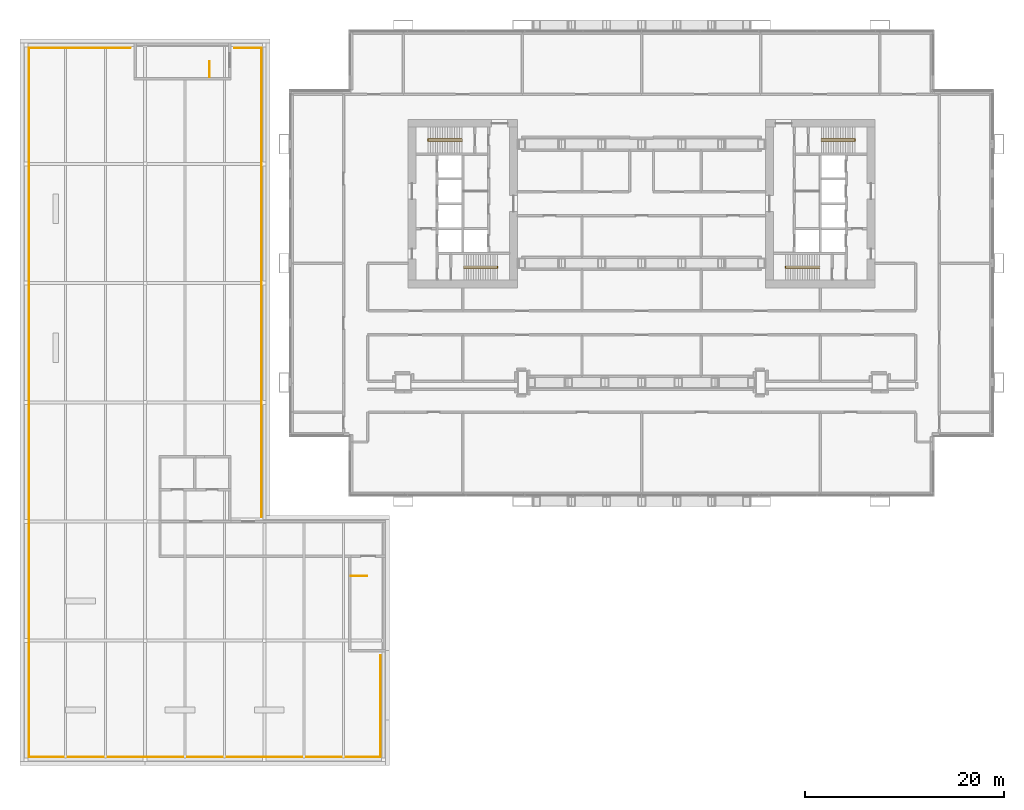
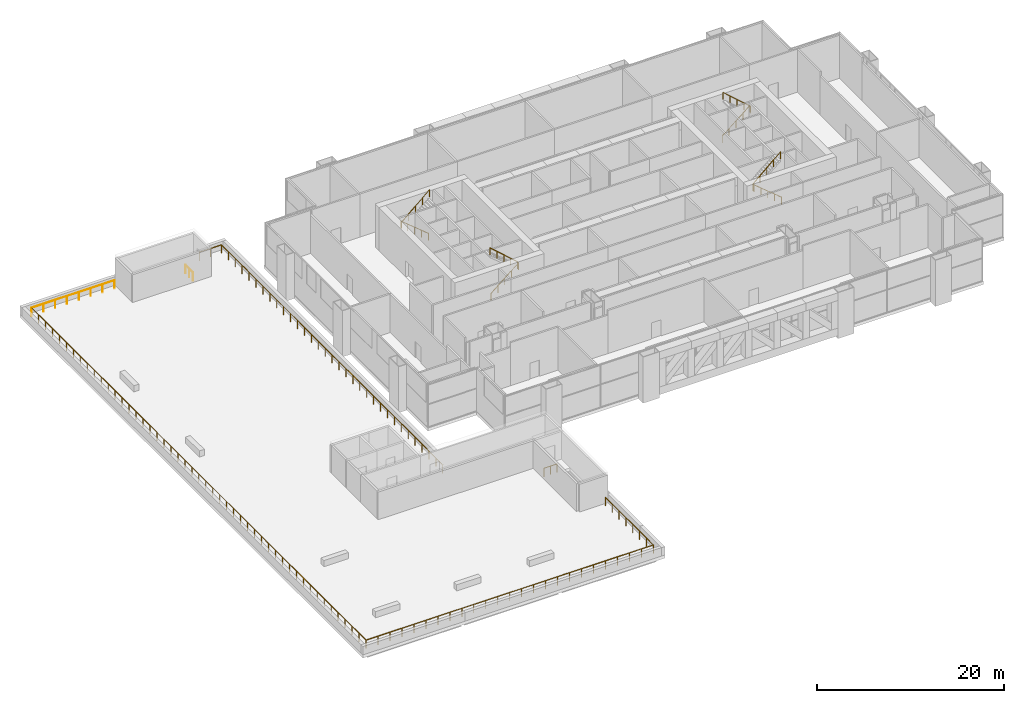
# One storey, part 27 of 27: 9 railings.
"""IFC4 building model written with IfcOpenShell, lengths in metres."""

from ifc_helpers import new_model, si_unit, direction, frame, origin, origin_2d, place, context, subcontext, project, spatial, circle, extrude, material, type_object, element, save


model = new_model("IFC4")

# Units and contexts
model_context = context("Model", 3, precision=1e-05, world=origin(), true_north=direction((0.0, 1.0)))
body_context = subcontext(model_context, "Body", "Model", "MODEL_VIEW")
ifc_project = project(units=[si_unit("LENGTHUNIT", "METRE"), si_unit("AREAUNIT", "SQUARE_METRE"), si_unit("VOLUMEUNIT", "CUBIC_METRE"), si_unit("PLANEANGLEUNIT", "RADIAN"), si_unit("MASSUNIT", "GRAM", prefix="KILO")], contexts=[model_context])

# Site, building, storey
site_placement = place(None, origin())
site = spatial("IfcSite", under=ifc_project, at=site_placement, CompositionType="ELEMENT")
building_placement = place(site_placement, origin())
building = spatial("IfcBuilding", under=site, at=building_placement, Name="Kitamizu Gate Tower and Museum", CompositionType="ELEMENT")
storey_placement = place(building_placement, frame((0.0, 0.0, 24.0)))
storey = spatial("IfcBuildingStorey", under=building, at=storey_placement, Name="L04", CompositionType="ELEMENT", Elevation=24.0)

# Railings
ifc_material_1 = material(Name="Stainless steel SUS304", Category="steel")
railing_type_1 = type_object("IfcRailingType", Name="Museum roof edge guard 1100", PredefinedType="GUARDRAIL", material=ifc_material_1)
railing_1_placement = place(storey_placement, frame((9.699951171875, -15.47509765625, 0.0)))
element("IfcRailing", 1, at=railing_1_placement, inside=storey, type_object=railing_type_1, Name="Roof edge guard", PredefinedType="GUARDRAIL", context=body_context, shape_type="SweptSolid", body=[
    extrude(circle(Radius=0.02490234375, at=origin_2d()), frame((0.0, 0.0, 1.0751953125), z_axis=(0.0, -1.0, 0.0), x_axis=(1.0, 0.0, 0.0)), (0.0, 0.0, 1.0), 10.224853515625),
    extrude(circle(Radius=0.02490234375, at=origin_2d()), frame((0.0, -10.224853515625, 1.0751953125), z_axis=(-1.0, 0.0, 0.0), x_axis=(0.0, -1.0, 0.0)), (0.0, 0.0, 1.0), 35.39990234375),
    extrude(circle(Radius=0.02490234375, at=origin_2d()), frame((-35.39990234375, -10.224853515625, 1.0751953125), z_axis=(0.0, 1.0, 0.0), x_axis=(-1.0, 0.0, 0.0)), (0.0, 0.0, 1.0), 71.39990234375),
    extrude(circle(Radius=0.02001953125, at=origin_2d()), origin(), (0.0, 0.0, 1.0), 1.050048828125),
    extrude(circle(Radius=0.02001953125, at=origin_2d()), frame((0.0, -1.460693359375, 0.0)), (0.0, 0.0, 1.0), 1.050048828125),
    extrude(circle(Radius=0.02001953125, at=origin_2d()), frame((0.0, -2.92138671875, 0.0)), (0.0, 0.0, 1.0), 1.050048828125),
    extrude(circle(Radius=0.02001953125, at=origin_2d()), frame((0.0, -4.382080078125, 0.0)), (0.0, 0.0, 1.0), 1.050048828125),
    extrude(circle(Radius=0.02001953125, at=origin_2d()), frame((0.0, -5.8427734375, 0.0)), (0.0, 0.0, 1.0), 1.050048828125),
    extrude(circle(Radius=0.02001953125, at=origin_2d()), frame((0.0, -7.303466796875, 0.0)), (0.0, 0.0, 1.0), 1.050048828125),
    extrude(circle(Radius=0.02001953125, at=origin_2d()), frame((0.0, -8.76416015625, 0.0)), (0.0, 0.0, 1.0), 1.050048828125),
    extrude(circle(Radius=0.02001953125, at=origin_2d()), frame((0.0, -10.224853515625, 0.0)), (0.0, 0.0, 1.0), 1.050048828125),
    extrude(circle(Radius=0.02001953125, at=origin_2d()), frame((-1.47509765625, -10.224853515625, 0.0)), (0.0, 0.0, 1.0), 1.050048828125),
    extrude(circle(Radius=0.02001953125, at=origin_2d()), frame((-2.949951171875, -10.224853515625, 0.0)), (0.0, 0.0, 1.0), 1.050048828125),
    extrude(circle(Radius=0.02001953125, at=origin_2d()), frame((-4.425048828125, -10.224853515625, 0.0)), (0.0, 0.0, 1.0), 1.050048828125),
    extrude(circle(Radius=0.02001953125, at=origin_2d()), frame((-5.89990234375, -10.224853515625, 0.0)), (0.0, 0.0, 1.0), 1.050048828125),
    extrude(circle(Radius=0.02001953125, at=origin_2d()), frame((-7.375, -10.224853515625, 0.0)), (0.0, 0.0, 1.0), 1.050048828125),
    extrude(circle(Radius=0.02001953125, at=origin_2d()), frame((-8.85009765625, -10.224853515625, 0.0)), (0.0, 0.0, 1.0), 1.050048828125),
    extrude(circle(Radius=0.02001953125, at=origin_2d()), frame((-10.324951171875, -10.224853515625, 0.0)), (0.0, 0.0, 1.0), 1.050048828125),
    extrude(circle(Radius=0.02001953125, at=origin_2d()), frame((-11.800048828125, -10.224853515625, 0.0)), (0.0, 0.0, 1.0), 1.050048828125),
    extrude(circle(Radius=0.02001953125, at=origin_2d()), frame((-13.27490234375, -10.224853515625, 0.0)), (0.0, 0.0, 1.0), 1.050048828125),
    extrude(circle(Radius=0.02001953125, at=origin_2d()), frame((-14.75, -10.224853515625, 0.0)), (0.0, 0.0, 1.0), 1.050048828125),
    extrude(circle(Radius=0.02001953125, at=origin_2d()), frame((-16.224853515625, -10.224853515625, 0.0)), (0.0, 0.0, 1.0), 1.050048828125),
    extrude(circle(Radius=0.02001953125, at=origin_2d()), frame((-17.699951171875, -10.224853515625, 0.0)), (0.0, 0.0, 1.0), 1.050048828125),
    extrude(circle(Radius=0.02001953125, at=origin_2d()), frame((-19.175048828125, -10.224853515625, 0.0)), (0.0, 0.0, 1.0), 1.050048828125),
    extrude(circle(Radius=0.02001953125, at=origin_2d()), frame((-20.64990234375, -10.224853515625, 0.0)), (0.0, 0.0, 1.0), 1.050048828125),
    extrude(circle(Radius=0.02001953125, at=origin_2d()), frame((-22.125, -10.224853515625, 0.0)), (0.0, 0.0, 1.0), 1.050048828125),
    extrude(circle(Radius=0.02001953125, at=origin_2d()), frame((-23.599853515625, -10.224853515625, 0.0)), (0.0, 0.0, 1.0), 1.050048828125),
    extrude(circle(Radius=0.02001953125, at=origin_2d()), frame((-25.074951171875, -10.224853515625, 0.0)), (0.0, 0.0, 1.0), 1.050048828125),
    extrude(circle(Radius=0.02001953125, at=origin_2d()), frame((-26.5498046875, -10.224853515625, 0.0)), (0.0, 0.0, 1.0), 1.050048828125),
    extrude(circle(Radius=0.02001953125, at=origin_2d()), frame((-28.02490234375, -10.224853515625, 0.0)), (0.0, 0.0, 1.0), 1.050048828125),
    extrude(circle(Radius=0.02001953125, at=origin_2d()), frame((-29.5, -10.224853515625, 0.0)), (0.0, 0.0, 1.0), 1.050048828125),
    extrude(circle(Radius=0.02001953125, at=origin_2d()), frame((-30.974853515625, -10.224853515625, 0.0)), (0.0, 0.0, 1.0), 1.050048828125),
    extrude(circle(Radius=0.02001953125, at=origin_2d()), frame((-32.449951171875, -10.224853515625, 0.0)), (0.0, 0.0, 1.0), 1.050048828125),
    extrude(circle(Radius=0.02001953125, at=origin_2d()), frame((-33.9248046875, -10.224853515625, 0.0)), (0.0, 0.0, 1.0), 1.050048828125),
    extrude(circle(Radius=0.02001953125, at=origin_2d()), frame((-35.39990234375, -10.224853515625, 0.0)), (0.0, 0.0, 1.0), 1.050048828125),
    extrude(circle(Radius=0.02001953125, at=origin_2d()), frame((-35.39990234375, -8.7373046875, 0.0)), (0.0, 0.0, 1.0), 1.050048828125),
    extrude(circle(Radius=0.02001953125, at=origin_2d()), frame((-35.39990234375, -7.249755859375, 0.0)), (0.0, 0.0, 1.0), 1.050048828125),
    extrude(circle(Radius=0.02001953125, at=origin_2d()), frame((-35.39990234375, -5.762451171875, 0.0)), (0.0, 0.0, 1.0), 1.050048828125),
    extrude(circle(Radius=0.02001953125, at=origin_2d()), frame((-35.39990234375, -4.27490234375, 0.0)), (0.0, 0.0, 1.0), 1.050048828125),
    extrude(circle(Radius=0.02001953125, at=origin_2d()), frame((-35.39990234375, -2.787353515625, 0.0)), (0.0, 0.0, 1.0), 1.050048828125),
    extrude(circle(Radius=0.02001953125, at=origin_2d()), frame((-35.39990234375, -1.2998046875, 0.0)), (0.0, 0.0, 1.0), 1.050048828125),
    extrude(circle(Radius=0.02001953125, at=origin_2d()), frame((-35.39990234375, 0.187744140625, 0.0)), (0.0, 0.0, 1.0), 1.050048828125),
    extrude(circle(Radius=0.02001953125, at=origin_2d()), frame((-35.39990234375, 1.675048828125, 0.0)), (0.0, 0.0, 1.0), 1.050048828125),
    extrude(circle(Radius=0.02001953125, at=origin_2d()), frame((-35.39990234375, 3.16259765625, 0.0)), (0.0, 0.0, 1.0), 1.050048828125),
    extrude(circle(Radius=0.02001953125, at=origin_2d()), frame((-35.39990234375, 4.650146484375, 0.0)), (0.0, 0.0, 1.0), 1.050048828125),
    extrude(circle(Radius=0.02001953125, at=origin_2d()), frame((-35.39990234375, 6.1376953125, 0.0)), (0.0, 0.0, 1.0), 1.050048828125),
    extrude(circle(Radius=0.02001953125, at=origin_2d()), frame((-35.39990234375, 7.625, 0.0)), (0.0, 0.0, 1.0), 1.050048828125),
    extrude(circle(Radius=0.02001953125, at=origin_2d()), frame((-35.39990234375, 9.112548828125, 0.0)), (0.0, 0.0, 1.0), 1.050048828125),
    extrude(circle(Radius=0.02001953125, at=origin_2d()), frame((-35.39990234375, 10.60009765625, 0.0)), (0.0, 0.0, 1.0), 1.050048828125),
    extrude(circle(Radius=0.02001953125, at=origin_2d()), frame((-35.39990234375, 12.087646484375, 0.0)), (0.0, 0.0, 1.0), 1.050048828125),
    extrude(circle(Radius=0.02001953125, at=origin_2d()), frame((-35.39990234375, 13.5751953125, 0.0)), (0.0, 0.0, 1.0), 1.050048828125),
    extrude(circle(Radius=0.02001953125, at=origin_2d()), frame((-35.39990234375, 15.0625, 0.0)), (0.0, 0.0, 1.0), 1.050048828125),
    extrude(circle(Radius=0.02001953125, at=origin_2d()), frame((-35.39990234375, 16.550048828125, 0.0)), (0.0, 0.0, 1.0), 1.050048828125),
    extrude(circle(Radius=0.02001953125, at=origin_2d()), frame((-35.39990234375, 18.03759765625, 0.0)), (0.0, 0.0, 1.0), 1.050048828125),
    extrude(circle(Radius=0.02001953125, at=origin_2d()), frame((-35.39990234375, 19.525146484375, 0.0)), (0.0, 0.0, 1.0), 1.050048828125),
    extrude(circle(Radius=0.02001953125, at=origin_2d()), frame((-35.39990234375, 21.0126953125, 0.0)), (0.0, 0.0, 1.0), 1.050048828125),
    extrude(circle(Radius=0.02001953125, at=origin_2d()), frame((-35.39990234375, 22.5, 0.0)), (0.0, 0.0, 1.0), 1.050048828125),
    extrude(circle(Radius=0.02001953125, at=origin_2d()), frame((-35.39990234375, 23.987548828125, 0.0)), (0.0, 0.0, 1.0), 1.050048828125),
    extrude(circle(Radius=0.02001953125, at=origin_2d()), frame((-35.39990234375, 25.47509765625, 0.0)), (0.0, 0.0, 1.0), 1.050048828125),
    extrude(circle(Radius=0.02001953125, at=origin_2d()), frame((-35.39990234375, 26.962646484375, 0.0)), (0.0, 0.0, 1.0), 1.050048828125),
    extrude(circle(Radius=0.02001953125, at=origin_2d()), frame((-35.39990234375, 28.4501953125, 0.0)), (0.0, 0.0, 1.0), 1.050048828125),
    extrude(circle(Radius=0.02001953125, at=origin_2d()), frame((-35.39990234375, 29.9375, 0.0)), (0.0, 0.0, 1.0), 1.050048828125),
    extrude(circle(Radius=0.02001953125, at=origin_2d()), frame((-35.39990234375, 31.425048828125, 0.0)), (0.0, 0.0, 1.0), 1.050048828125),
    extrude(circle(Radius=0.02001953125, at=origin_2d()), frame((-35.39990234375, 32.91259765625, 0.0)), (0.0, 0.0, 1.0), 1.050048828125),
    extrude(circle(Radius=0.02001953125, at=origin_2d()), frame((-35.39990234375, 34.400146484375, 0.0)), (0.0, 0.0, 1.0), 1.050048828125),
    extrude(circle(Radius=0.02001953125, at=origin_2d()), frame((-35.39990234375, 35.8876953125, 0.0)), (0.0, 0.0, 1.0), 1.050048828125),
    extrude(circle(Radius=0.02001953125, at=origin_2d()), frame((-35.39990234375, 37.375, 0.0)), (0.0, 0.0, 1.0), 1.050048828125),
    extrude(circle(Radius=0.02001953125, at=origin_2d()), frame((-35.39990234375, 38.862548828125, 0.0)), (0.0, 0.0, 1.0), 1.050048828125),
    extrude(circle(Radius=0.02001953125, at=origin_2d()), frame((-35.39990234375, 40.35009765625, 0.0)), (0.0, 0.0, 1.0), 1.050048828125),
    extrude(circle(Radius=0.02001953125, at=origin_2d()), frame((-35.39990234375, 41.837646484375, 0.0)), (0.0, 0.0, 1.0), 1.050048828125),
    extrude(circle(Radius=0.02001953125, at=origin_2d()), frame((-35.39990234375, 43.3251953125, 0.0)), (0.0, 0.0, 1.0), 1.050048828125),
    extrude(circle(Radius=0.02001953125, at=origin_2d()), frame((-35.39990234375, 44.8125, 0.0)), (0.0, 0.0, 1.0), 1.050048828125),
    extrude(circle(Radius=0.02001953125, at=origin_2d()), frame((-35.39990234375, 46.300048828125, 0.0)), (0.0, 0.0, 1.0), 1.050048828125),
    extrude(circle(Radius=0.02001953125, at=origin_2d()), frame((-35.39990234375, 47.78759765625, 0.0)), (0.0, 0.0, 1.0), 1.050048828125),
    extrude(circle(Radius=0.02001953125, at=origin_2d()), frame((-35.39990234375, 49.275146484375, 0.0)), (0.0, 0.0, 1.0), 1.050048828125),
    extrude(circle(Radius=0.02001953125, at=origin_2d()), frame((-35.39990234375, 50.762451171875, 0.0)), (0.0, 0.0, 1.0), 1.050048828125),
    extrude(circle(Radius=0.02001953125, at=origin_2d()), frame((-35.39990234375, 52.25, 0.0)), (0.0, 0.0, 1.0), 1.050048828125),
    extrude(circle(Radius=0.02001953125, at=origin_2d()), frame((-35.39990234375, 53.737548828125, 0.0)), (0.0, 0.0, 1.0), 1.050048828125),
    extrude(circle(Radius=0.02001953125, at=origin_2d()), frame((-35.39990234375, 55.22509765625, 0.0)), (0.0, 0.0, 1.0), 1.050048828125),
    extrude(circle(Radius=0.02001953125, at=origin_2d()), frame((-35.39990234375, 56.712646484375, 0.0)), (0.0, 0.0, 1.0), 1.050048828125),
    extrude(circle(Radius=0.02001953125, at=origin_2d()), frame((-35.39990234375, 58.199951171875, 0.0)), (0.0, 0.0, 1.0), 1.050048828125),
    extrude(circle(Radius=0.02001953125, at=origin_2d()), frame((-35.39990234375, 59.6875, 0.0)), (0.0, 0.0, 1.0), 1.050048828125),
    extrude(circle(Radius=0.02001953125, at=origin_2d()), frame((-35.39990234375, 61.175048828125, 0.0)), (0.0, 0.0, 1.0), 1.050048828125),
])
railing_2_placement = place(storey_placement, frame((-5.02490234375, 45.699951171875, 0.0)))
element("IfcRailing", 2, at=railing_2_placement, inside=storey, type_object=railing_type_1, Name="Roof edge guard", PredefinedType="GUARDRAIL", context=body_context, shape_type="SweptSolid", body=[
    extrude(circle(Radius=0.02490234375, at=origin_2d()), frame((0.0, 0.0, 1.0751953125), z_axis=(1.0, 0.0, 0.0), x_axis=(0.0, 1.0, 0.0)), (0.0, 0.0, 1.0), 2.724853515625),
    extrude(circle(Radius=0.02490234375, at=origin_2d()), frame((2.724853515625, 0.0, 1.0751953125), z_axis=(0.0, -1.0, 0.0), x_axis=(1.0, 0.0, 0.0)), (0.0, 0.0, 1.0), 47.25),
    extrude(circle(Radius=0.02001953125, at=origin_2d()), origin(), (0.0, 0.0, 1.0), 1.050048828125),
    extrude(circle(Radius=0.02001953125, at=origin_2d()), frame((1.3623046875, 0.0, 0.0)), (0.0, 0.0, 1.0), 1.050048828125),
    extrude(circle(Radius=0.02001953125, at=origin_2d()), frame((2.724853515625, 0.0, 0.0)), (0.0, 0.0, 1.0), 1.050048828125),
    extrude(circle(Radius=0.02001953125, at=origin_2d()), frame((2.724853515625, -1.4765625, 0.0)), (0.0, 0.0, 1.0), 1.050048828125),
    extrude(circle(Radius=0.02001953125, at=origin_2d()), frame((2.724853515625, -2.953125, 0.0)), (0.0, 0.0, 1.0), 1.050048828125),
    extrude(circle(Radius=0.02001953125, at=origin_2d()), frame((2.724853515625, -4.4296875, 0.0)), (0.0, 0.0, 1.0), 1.050048828125),
    extrude(circle(Radius=0.02001953125, at=origin_2d()), frame((2.724853515625, -5.90625, 0.0)), (0.0, 0.0, 1.0), 1.050048828125),
    extrude(circle(Radius=0.02001953125, at=origin_2d()), frame((2.724853515625, -7.3828125, 0.0)), (0.0, 0.0, 1.0), 1.050048828125),
    extrude(circle(Radius=0.02001953125, at=origin_2d()), frame((2.724853515625, -8.859375, 0.0)), (0.0, 0.0, 1.0), 1.050048828125),
    extrude(circle(Radius=0.02001953125, at=origin_2d()), frame((2.724853515625, -10.3359375, 0.0)), (0.0, 0.0, 1.0), 1.050048828125),
    extrude(circle(Radius=0.02001953125, at=origin_2d()), frame((2.724853515625, -11.8125, 0.0)), (0.0, 0.0, 1.0), 1.050048828125),
    extrude(circle(Radius=0.02001953125, at=origin_2d()), frame((2.724853515625, -13.2890625, 0.0)), (0.0, 0.0, 1.0), 1.050048828125),
    extrude(circle(Radius=0.02001953125, at=origin_2d()), frame((2.724853515625, -14.765625, 0.0)), (0.0, 0.0, 1.0), 1.050048828125),
    extrude(circle(Radius=0.02001953125, at=origin_2d()), frame((2.724853515625, -16.2421875, 0.0)), (0.0, 0.0, 1.0), 1.050048828125),
    extrude(circle(Radius=0.02001953125, at=origin_2d()), frame((2.724853515625, -17.71875, 0.0)), (0.0, 0.0, 1.0), 1.050048828125),
    extrude(circle(Radius=0.02001953125, at=origin_2d()), frame((2.724853515625, -19.1953125, 0.0)), (0.0, 0.0, 1.0), 1.050048828125),
    extrude(circle(Radius=0.02001953125, at=origin_2d()), frame((2.724853515625, -20.671875, 0.0)), (0.0, 0.0, 1.0), 1.050048828125),
    extrude(circle(Radius=0.02001953125, at=origin_2d()), frame((2.724853515625, -22.1484375, 0.0)), (0.0, 0.0, 1.0), 1.050048828125),
    extrude(circle(Radius=0.02001953125, at=origin_2d()), frame((2.724853515625, -23.625, 0.0)), (0.0, 0.0, 1.0), 1.050048828125),
    extrude(circle(Radius=0.02001953125, at=origin_2d()), frame((2.724853515625, -25.1015625, 0.0)), (0.0, 0.0, 1.0), 1.050048828125),
    extrude(circle(Radius=0.02001953125, at=origin_2d()), frame((2.724853515625, -26.578125, 0.0)), (0.0, 0.0, 1.0), 1.050048828125),
    extrude(circle(Radius=0.02001953125, at=origin_2d()), frame((2.724853515625, -28.0546875, 0.0)), (0.0, 0.0, 1.0), 1.050048828125),
    extrude(circle(Radius=0.02001953125, at=origin_2d()), frame((2.724853515625, -29.53125, 0.0)), (0.0, 0.0, 1.0), 1.050048828125),
    extrude(circle(Radius=0.02001953125, at=origin_2d()), frame((2.724853515625, -31.0078125, 0.0)), (0.0, 0.0, 1.0), 1.050048828125),
    extrude(circle(Radius=0.02001953125, at=origin_2d()), frame((2.724853515625, -32.484375, 0.0)), (0.0, 0.0, 1.0), 1.050048828125),
    extrude(circle(Radius=0.02001953125, at=origin_2d()), frame((2.724853515625, -33.9609375, 0.0)), (0.0, 0.0, 1.0), 1.050048828125),
    extrude(circle(Radius=0.02001953125, at=origin_2d()), frame((2.724853515625, -35.4375, 0.0)), (0.0, 0.0, 1.0), 1.050048828125),
    extrude(circle(Radius=0.02001953125, at=origin_2d()), frame((2.724853515625, -36.9140625, 0.0)), (0.0, 0.0, 1.0), 1.050048828125),
    extrude(circle(Radius=0.02001953125, at=origin_2d()), frame((2.724853515625, -38.390625, 0.0)), (0.0, 0.0, 1.0), 1.050048828125),
    extrude(circle(Radius=0.02001953125, at=origin_2d()), frame((2.724853515625, -39.8671875, 0.0)), (0.0, 0.0, 1.0), 1.050048828125),
    extrude(circle(Radius=0.02001953125, at=origin_2d()), frame((2.724853515625, -41.34375, 0.0)), (0.0, 0.0, 1.0), 1.050048828125),
    extrude(circle(Radius=0.02001953125, at=origin_2d()), frame((2.724853515625, -42.8203125, 0.0)), (0.0, 0.0, 1.0), 1.050048828125),
    extrude(circle(Radius=0.02001953125, at=origin_2d()), frame((2.724853515625, -44.296875, 0.0)), (0.0, 0.0, 1.0), 1.050048828125),
    extrude(circle(Radius=0.02001953125, at=origin_2d()), frame((2.724853515625, -45.7734375, 0.0)), (0.0, 0.0, 1.0), 1.050048828125),
    extrude(circle(Radius=0.02001953125, at=origin_2d()), frame((2.724853515625, -47.25, 0.0)), (0.0, 0.0, 1.0), 1.050048828125),
])
railing_3_placement = place(storey_placement, frame((-25.699951171875, 45.699951171875, 0.0)))
element("IfcRailing", 3, at=railing_3_placement, inside=storey, type_object=railing_type_1, Name="Roof edge guard", PredefinedType="GUARDRAIL", context=body_context, shape_type="SweptSolid", body=[
    extrude(circle(Radius=0.02490234375, at=origin_2d()), frame((0.0, 0.0, 1.0751953125), z_axis=(1.0, 0.0, 0.0), x_axis=(0.0, 1.0, 0.0)), (0.0, 0.0, 1.0), 10.224853515625),
    extrude(circle(Radius=0.02001953125, at=origin_2d()), origin(), (0.0, 0.0, 1.0), 1.050048828125),
    extrude(circle(Radius=0.02001953125, at=origin_2d()), frame((1.460693359375, 0.0, 0.0)), (0.0, 0.0, 1.0), 1.050048828125),
    extrude(circle(Radius=0.02001953125, at=origin_2d()), frame((2.92138671875, 0.0, 0.0)), (0.0, 0.0, 1.0), 1.050048828125),
    extrude(circle(Radius=0.02001953125, at=origin_2d()), frame((4.382080078125, 0.0, 0.0)), (0.0, 0.0, 1.0), 1.050048828125),
    extrude(circle(Radius=0.02001953125, at=origin_2d()), frame((5.8427734375, 0.0, 0.0)), (0.0, 0.0, 1.0), 1.050048828125),
    extrude(circle(Radius=0.02001953125, at=origin_2d()), frame((7.303466796875, 0.0, 0.0)), (0.0, 0.0, 1.0), 1.050048828125),
    extrude(circle(Radius=0.02001953125, at=origin_2d()), frame((8.76416015625, 0.0, 0.0)), (0.0, 0.0, 1.0), 1.050048828125),
    extrude(circle(Radius=0.02001953125, at=origin_2d()), frame((10.224853515625, 0.0, 0.0)), (0.0, 0.0, 1.0), 1.050048828125),
])
railing_4_placement = place(storey_placement, frame((6.75, -7.5, 0.0)))
element("IfcRailing", 4, at=railing_4_placement, inside=storey, type_object=railing_type_1, Name="Stair well guard", PredefinedType="GUARDRAIL", context=body_context, shape_type="SweptSolid", body=[
    extrude(circle(Radius=0.02490234375, at=origin_2d()), frame((0.0, 0.0, 1.0751953125), z_axis=(1.0, 0.0, 0.0), x_axis=(0.0, 1.0, 0.0)), (0.0, 0.0, 1.0), 1.60009765625),
    extrude(circle(Radius=0.02001953125, at=origin_2d()), origin(), (0.0, 0.0, 1.0), 1.050048828125),
    extrude(circle(Radius=0.02001953125, at=origin_2d()), frame((0.800048828125, 0.0, 0.0)), (0.0, 0.0, 1.0), 1.050048828125),
    extrude(circle(Radius=0.02001953125, at=origin_2d()), frame((1.60009765625, 0.0, 0.0)), (0.0, 0.0, 1.0), 1.050048828125),
])
railing_5_placement = place(storey_placement, frame((-7.5, 42.75, 0.0)))
element("IfcRailing", 5, at=railing_5_placement, inside=storey, type_object=railing_type_1, Name="Stair well guard", PredefinedType="GUARDRAIL", context=body_context, shape_type="SweptSolid", body=[
    extrude(circle(Radius=0.02490234375, at=origin_2d()), frame((0.0, 0.0, 1.0751953125), z_axis=(0.0, 1.0, 0.0), x_axis=(-1.0, 0.0, 0.0)), (0.0, 0.0, 1.0), 1.60009765625),
    extrude(circle(Radius=0.02001953125, at=origin_2d()), origin(), (0.0, 0.0, 1.0), 1.050048828125),
    extrude(circle(Radius=0.02001953125, at=origin_2d()), frame((0.0, 0.800048828125, 0.0)), (0.0, 0.0, 1.0), 1.050048828125),
    extrude(circle(Radius=0.02001953125, at=origin_2d()), frame((0.0, 1.60009765625, 0.0)), (0.0, 0.0, 1.0), 1.050048828125),
])
ifc_material_2 = material(Name="Stainless steel SUS304", Category="steel")
railing_type_2 = type_object("IfcRailingType", Name="Stair handrail 900", PredefinedType="HANDRAIL", material=ifc_material_2)
railing_6_placement = place(storey_placement, frame((18.10009765625, 23.5, 0.199951171875)))
element("IfcRailing", 6, at=railing_6_placement, inside=storey, type_object=railing_type_2, Name="Stair handrail ST1", PredefinedType="HANDRAIL", context=body_context, shape_type="SweptSolid", body=[
    extrude(circle(Radius=0.02392578125, at=origin_2d()), frame((0.0, 0.0, 0.8759765625), z_axis=(0.771915835092, 0.0, 0.63572473881), x_axis=(0.0, 1.0, 0.0)), (0.0, 0.0, 1.0), 4.404541015625),
    extrude(circle(Radius=0.02392578125, at=origin_2d()), frame((3.39990234375, 0.0, 3.67578125), z_axis=(0.0, 1.0, 0.0), x_axis=(-1.0, 0.0, 0.0)), (0.0, 0.0, 1.0), 0.199951171875),
    extrude(circle(Radius=0.02392578125, at=origin_2d()), frame((3.39990234375, 0.199951171875, 3.67578125), z_axis=(-0.74982842739, 0.0, 0.661632321971), x_axis=(0.0, -1.0, 0.0)), (0.0, 0.0, 1.0), 4.5341796875),
    extrude(circle(Radius=0.02099609375, at=origin_2d()), origin(), (0.0, 0.0, 1.0), 0.851806640625),
    extrude(circle(Radius=0.02099609375, at=origin_2d()), frame((0.85009765625, 0.0, 0.699951171875)), (0.0, 0.0, 1.0), 0.851806640625),
    extrude(circle(Radius=0.02099609375, at=origin_2d()), frame((1.699951171875, 0.0, 1.39990234375)), (0.0, 0.0, 1.0), 0.851806640625),
    extrude(circle(Radius=0.02099609375, at=origin_2d()), frame((2.5498046875, 0.0, 2.10009765625)), (0.0, 0.0, 1.0), 0.851806640625),
    extrude(circle(Radius=0.02099609375, at=origin_2d()), frame((3.39990234375, 0.0, 2.800048828125)), (0.0, 0.0, 1.0), 0.851806640625),
    extrude(circle(Radius=0.02099609375, at=origin_2d()), frame((3.39990234375, 0.199951171875, 2.800048828125)), (0.0, 0.0, 1.0), 0.851806640625),
    extrude(circle(Radius=0.02099609375, at=origin_2d()), frame((2.5498046875, 0.199951171875, 3.550048828125)), (0.0, 0.0, 1.0), 0.851806640625),
    extrude(circle(Radius=0.02099609375, at=origin_2d()), frame((1.699951171875, 0.199951171875, 4.300048828125)), (0.0, 0.0, 1.0), 0.851806640625),
    extrude(circle(Radius=0.02099609375, at=origin_2d()), frame((0.85009765625, 0.199951171875, 5.050048828125)), (0.0, 0.0, 1.0), 0.851806640625),
    extrude(circle(Radius=0.02099609375, at=origin_2d()), frame((0.0, 0.199951171875, 5.800048828125)), (0.0, 0.0, 1.0), 0.851806640625),
])
railing_7_placement = place(storey_placement, frame((17.89990234375, 36.5, 0.199951171875)))
element("IfcRailing", 7, at=railing_7_placement, inside=storey, type_object=railing_type_2, Name="Stair handrail ST2", PredefinedType="HANDRAIL", context=body_context, shape_type="SweptSolid", body=[
    extrude(circle(Radius=0.02392578125, at=origin_2d()), frame((0.0, 0.0, 0.8759765625), z_axis=(-0.771915835092, 0.0, 0.63572473881), x_axis=(0.0, -1.0, 0.0)), (0.0, 0.0, 1.0), 4.404541015625),
    extrude(circle(Radius=0.02392578125, at=origin_2d()), frame((-3.39990234375, 0.0, 3.67578125), z_axis=(0.0, -1.0, 0.0), x_axis=(1.0, 0.0, 0.0)), (0.0, 0.0, 1.0), 0.199951171875),
    extrude(circle(Radius=0.02392578125, at=origin_2d()), frame((-3.39990234375, -0.199951171875, 3.67578125), z_axis=(0.74982842739, 0.0, 0.661632321971), x_axis=(0.0, 1.0, 0.0)), (0.0, 0.0, 1.0), 4.5341796875),
    extrude(circle(Radius=0.02099609375, at=origin_2d()), origin(), (0.0, 0.0, 1.0), 0.851806640625),
    extrude(circle(Radius=0.02099609375, at=origin_2d()), frame((-0.85009765625, 0.0, 0.699951171875)), (0.0, 0.0, 1.0), 0.851806640625),
    extrude(circle(Radius=0.02099609375, at=origin_2d()), frame((-1.699951171875, 0.0, 1.39990234375)), (0.0, 0.0, 1.0), 0.851806640625),
    extrude(circle(Radius=0.02099609375, at=origin_2d()), frame((-2.5498046875, 0.0, 2.10009765625)), (0.0, 0.0, 1.0), 0.851806640625),
    extrude(circle(Radius=0.02099609375, at=origin_2d()), frame((-3.39990234375, 0.0, 2.800048828125)), (0.0, 0.0, 1.0), 0.851806640625),
    extrude(circle(Radius=0.02099609375, at=origin_2d()), frame((-3.39990234375, -0.199951171875, 2.800048828125)), (0.0, 0.0, 1.0), 0.851806640625),
    extrude(circle(Radius=0.02099609375, at=origin_2d()), frame((-2.5498046875, -0.199951171875, 3.550048828125)), (0.0, 0.0, 1.0), 0.851806640625),
    extrude(circle(Radius=0.02099609375, at=origin_2d()), frame((-1.699951171875, -0.199951171875, 4.300048828125)), (0.0, 0.0, 1.0), 0.851806640625),
    extrude(circle(Radius=0.02099609375, at=origin_2d()), frame((-0.85009765625, -0.199951171875, 5.050048828125)), (0.0, 0.0, 1.0), 0.851806640625),
    extrude(circle(Radius=0.02099609375, at=origin_2d()), frame((0.0, -0.199951171875, 5.800048828125)), (0.0, 0.0, 1.0), 0.851806640625),
])
railing_8_placement = place(storey_placement, frame((53.89990234375, 23.5, 0.199951171875)))
element("IfcRailing", 8, at=railing_8_placement, inside=storey, type_object=railing_type_2, Name="Stair handrail ST3", PredefinedType="HANDRAIL", context=body_context, shape_type="SweptSolid", body=[
    extrude(circle(Radius=0.02392578125, at=origin_2d()), frame((0.0, 0.0, 0.8759765625), z_axis=(-0.771915835092, 0.0, 0.63572473881), x_axis=(0.0, -1.0, 0.0)), (0.0, 0.0, 1.0), 4.404541015625),
    extrude(circle(Radius=0.02392578125, at=origin_2d()), frame((-3.39990234375, 0.0, 3.67578125), z_axis=(0.0, 1.0, 0.0), x_axis=(-1.0, 0.0, 0.0)), (0.0, 0.0, 1.0), 0.199951171875),
    extrude(circle(Radius=0.02392578125, at=origin_2d()), frame((-3.39990234375, 0.199951171875, 3.67578125), z_axis=(0.74982842739, 0.0, 0.661632321971), x_axis=(0.0, 1.0, 0.0)), (0.0, 0.0, 1.0), 4.5341796875),
    extrude(circle(Radius=0.02099609375, at=origin_2d()), origin(), (0.0, 0.0, 1.0), 0.851806640625),
    extrude(circle(Radius=0.02099609375, at=origin_2d()), frame((-0.85009765625, 0.0, 0.699951171875)), (0.0, 0.0, 1.0), 0.851806640625),
    extrude(circle(Radius=0.02099609375, at=origin_2d()), frame((-1.699951171875, 0.0, 1.39990234375)), (0.0, 0.0, 1.0), 0.851806640625),
    extrude(circle(Radius=0.02099609375, at=origin_2d()), frame((-2.5498046875, 0.0, 2.10009765625)), (0.0, 0.0, 1.0), 0.851806640625),
    extrude(circle(Radius=0.02099609375, at=origin_2d()), frame((-3.39990234375, 0.0, 2.800048828125)), (0.0, 0.0, 1.0), 0.851806640625),
    extrude(circle(Radius=0.02099609375, at=origin_2d()), frame((-3.39990234375, 0.199951171875, 2.800048828125)), (0.0, 0.0, 1.0), 0.851806640625),
    extrude(circle(Radius=0.02099609375, at=origin_2d()), frame((-2.5498046875, 0.199951171875, 3.550048828125)), (0.0, 0.0, 1.0), 0.851806640625),
    extrude(circle(Radius=0.02099609375, at=origin_2d()), frame((-1.699951171875, 0.199951171875, 4.300048828125)), (0.0, 0.0, 1.0), 0.851806640625),
    extrude(circle(Radius=0.02099609375, at=origin_2d()), frame((-0.85009765625, 0.199951171875, 5.050048828125)), (0.0, 0.0, 1.0), 0.851806640625),
    extrude(circle(Radius=0.02099609375, at=origin_2d()), frame((0.0, 0.199951171875, 5.800048828125)), (0.0, 0.0, 1.0), 0.851806640625),
])
railing_9_placement = place(storey_placement, frame((54.10009765625, 36.5, 0.199951171875)))
element("IfcRailing", 9, at=railing_9_placement, inside=storey, type_object=railing_type_2, Name="Stair handrail ST4", PredefinedType="HANDRAIL", context=body_context, shape_type="SweptSolid", body=[
    extrude(circle(Radius=0.02392578125, at=origin_2d()), frame((0.0, 0.0, 0.8759765625), z_axis=(0.771915835092, 0.0, 0.63572473881), x_axis=(0.0, 1.0, 0.0)), (0.0, 0.0, 1.0), 4.404541015625),
    extrude(circle(Radius=0.02392578125, at=origin_2d()), frame((3.39990234375, 0.0, 3.67578125), z_axis=(0.0, -1.0, 0.0), x_axis=(1.0, 0.0, 0.0)), (0.0, 0.0, 1.0), 0.199951171875),
    extrude(circle(Radius=0.02392578125, at=origin_2d()), frame((3.39990234375, -0.199951171875, 3.67578125), z_axis=(-0.74982842739, 0.0, 0.661632321971), x_axis=(0.0, -1.0, 0.0)), (0.0, 0.0, 1.0), 4.5341796875),
    extrude(circle(Radius=0.02099609375, at=origin_2d()), origin(), (0.0, 0.0, 1.0), 0.851806640625),
    extrude(circle(Radius=0.02099609375, at=origin_2d()), frame((0.85009765625, 0.0, 0.699951171875)), (0.0, 0.0, 1.0), 0.851806640625),
    extrude(circle(Radius=0.02099609375, at=origin_2d()), frame((1.699951171875, 0.0, 1.39990234375)), (0.0, 0.0, 1.0), 0.851806640625),
    extrude(circle(Radius=0.02099609375, at=origin_2d()), frame((2.5498046875, 0.0, 2.10009765625)), (0.0, 0.0, 1.0), 0.851806640625),
    extrude(circle(Radius=0.02099609375, at=origin_2d()), frame((3.39990234375, 0.0, 2.800048828125)), (0.0, 0.0, 1.0), 0.851806640625),
    extrude(circle(Radius=0.02099609375, at=origin_2d()), frame((3.39990234375, -0.199951171875, 2.800048828125)), (0.0, 0.0, 1.0), 0.851806640625),
    extrude(circle(Radius=0.02099609375, at=origin_2d()), frame((2.5498046875, -0.199951171875, 3.550048828125)), (0.0, 0.0, 1.0), 0.851806640625),
    extrude(circle(Radius=0.02099609375, at=origin_2d()), frame((1.699951171875, -0.199951171875, 4.300048828125)), (0.0, 0.0, 1.0), 0.851806640625),
    extrude(circle(Radius=0.02099609375, at=origin_2d()), frame((0.85009765625, -0.199951171875, 5.050048828125)), (0.0, 0.0, 1.0), 0.851806640625),
    extrude(circle(Radius=0.02099609375, at=origin_2d()), frame((0.0, -0.199951171875, 5.800048828125)), (0.0, 0.0, 1.0), 0.851806640625),
])

save(model, "model.ifc")
